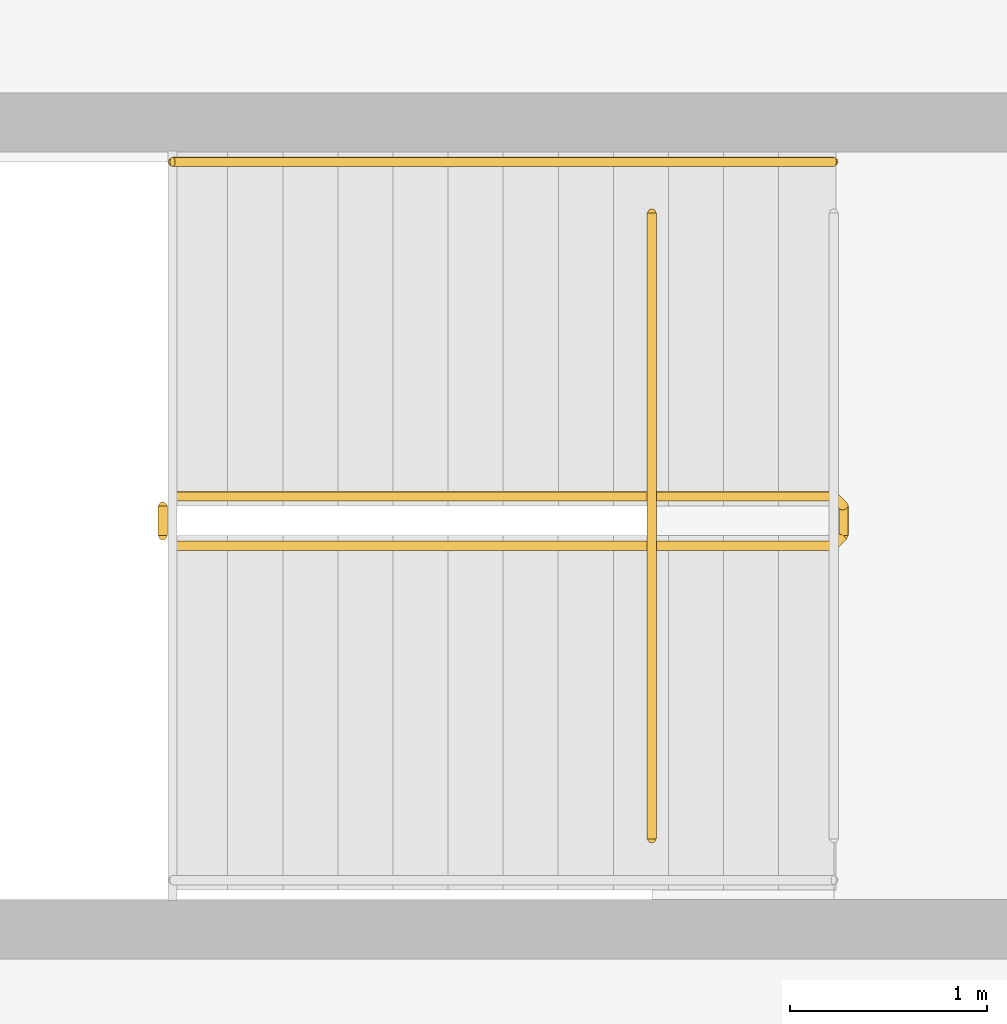
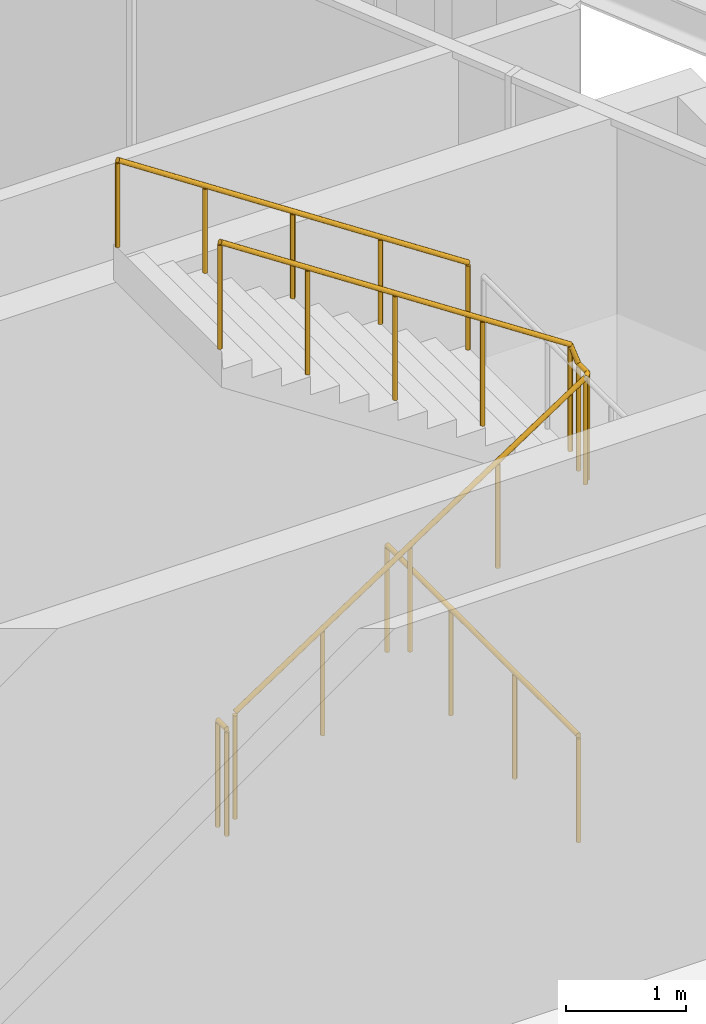
# One storey, part 33 of 35: 4 railings.
"""IFC4 building model written with IfcOpenShell, lengths in metres."""

from ifc_helpers import new_model, si_unit, direction, frame, origin, origin_2d, place, context, subcontext, project, spatial, circle, extrude, material, type_object, element, save


model = new_model("IFC4")

# Units and contexts
model_context = context("Model", 3, precision=1e-05, world=origin(), true_north=direction((0.0, 1.0)))
body_context = subcontext(model_context, "Body", "Model", "MODEL_VIEW")
ifc_project = project(units=[si_unit("LENGTHUNIT", "METRE"), si_unit("AREAUNIT", "SQUARE_METRE"), si_unit("VOLUMEUNIT", "CUBIC_METRE"), si_unit("PLANEANGLEUNIT", "RADIAN"), si_unit("MASSUNIT", "GRAM", prefix="KILO")], contexts=[model_context])

# Site, building, storey
site_placement = place(None, origin())
site = spatial("IfcSite", under=ifc_project, at=site_placement, CompositionType="ELEMENT")
building_placement = place(site_placement, origin())
building = spatial("IfcBuilding", under=site, at=building_placement, Name="Wharfspan Tower", CompositionType="ELEMENT")
storey_placement = place(building_placement, frame((0.0, 0.0, 202.300049)))
storey = spatial("IfcBuildingStorey", under=building, at=storey_placement, Name="L50", CompositionType="ELEMENT", Elevation=202.300049)

# Railings
ifc_material = material(Name="Steel S355J2", Category="steel")
railing_type_1 = type_object("IfcRailingType", Name="Stair guard 1100", PredefinedType="GUARDRAIL", material=ifc_material)
railing_1_placement = place(storey_placement, frame((71.404541, 22.334961, 0.0)))
element("IfcRailing", 1, at=railing_1_placement, inside=storey, type_object=railing_type_1, Name="L50 ST6 band guard 2", PredefinedType="GUARDRAIL", context=body_context, shape_type="SweptSolid", body=[
    extrude(circle(Radius=0.023926, at=origin_2d()), frame((0.0, 0.0, 1.076172), z_axis=(0.0, 1.0, 0.0), x_axis=(-1.0, 0.0, 0.0)), (0.0, 0.0, 1.0), 3.179932),
    extrude(circle(Radius=0.020996, at=origin_2d()), origin(), (0.0, 0.0, 1.0), 1.052002),
    extrude(circle(Radius=0.020996, at=origin_2d()), frame((0.0, 1.060059, 0.0)), (0.0, 0.0, 1.0), 1.052002),
    extrude(circle(Radius=0.020996, at=origin_2d()), frame((0.0, 2.119873, 0.0)), (0.0, 0.0, 1.0), 1.052002),
    extrude(circle(Radius=0.020996, at=origin_2d()), frame((0.0, 3.179932, 0.0)), (0.0, 0.0, 1.0), 1.052002),
])
railing_2_placement = place(storey_placement, frame((68.969482, 23.824951, 0.18457)))
element("IfcRailing", 2, at=railing_2_placement, inside=storey, type_object=railing_type_1, Name="L50 ST6 stair guard 1", PredefinedType="GUARDRAIL", context=body_context, shape_type="SweptSolid", body=[
    extrude(circle(Radius=0.023926, at=origin_2d()), frame((0.0, 0.0, 1.076172), z_axis=(0.834876, 0.0, 0.550437), x_axis=(0.0, 1.0, 0.0)), (0.0, 0.0, 1.0), 4.024658),
    extrude(circle(Radius=0.023926, at=origin_2d()), frame((3.360107, 0.0, 3.291504), z_axis=(0.707107, 0.707107, 0.0), x_axis=(-0.707107, 0.707107, 0.0)), (0.0, 0.0, 1.0), 0.070801),
    extrude(circle(Radius=0.023926, at=origin_2d()), frame((3.410156, 0.050049, 3.291504), z_axis=(0.0, 1.0, 0.0), x_axis=(-1.0, 0.0, 0.0)), (0.0, 0.0, 1.0), 0.149902),
    extrude(circle(Radius=0.023926, at=origin_2d()), frame((3.410156, 0.199951, 3.291504), z_axis=(-0.253186, 0.253186, 0.933699), x_axis=(-0.707107, -0.707107, 0.0)), (0.0, 0.0, 1.0), 0.197754),
    extrude(circle(Radius=0.023926, at=origin_2d()), frame((3.360107, 0.25, 3.476074), z_axis=(-0.834849, 0.0, 0.55048), x_axis=(0.0, -1.0, 0.0)), (0.0, 0.0, 1.0), 4.024902),
    extrude(circle(Radius=0.020996, at=origin_2d()), origin(), (0.0, 0.0, 1.0), 1.052002),
    extrude(circle(Radius=0.020996, at=origin_2d()), frame((0.840088, 0.0, 0.553711)), (0.0, 0.0, 1.0), 1.052002),
    extrude(circle(Radius=0.020996, at=origin_2d()), frame((1.680176, 0.0, 1.107666)), (0.0, 0.0, 1.0), 1.052002),
    extrude(circle(Radius=0.020996, at=origin_2d()), frame((2.52002, 0.0, 1.661621)), (0.0, 0.0, 1.0), 1.052002),
    extrude(circle(Radius=0.020996, at=origin_2d()), frame((3.360107, 0.0, 2.215332)), (0.0, 0.0, 1.0), 1.052002),
    extrude(circle(Radius=0.020996, at=origin_2d()), frame((3.410156, 0.050049, 2.215332)), (0.0, 0.0, 1.0), 1.052002),
    extrude(circle(Radius=0.020996, at=origin_2d()), frame((3.410156, 0.199951, 2.215332)), (0.0, 0.0, 1.0), 1.052002),
    extrude(circle(Radius=0.020996, at=origin_2d()), frame((3.360107, 0.25, 2.399902)), (0.0, 0.0, 1.0), 1.052002),
    extrude(circle(Radius=0.020996, at=origin_2d()), frame((2.52002, 0.25, 2.953857)), (0.0, 0.0, 1.0), 1.052002),
    extrude(circle(Radius=0.020996, at=origin_2d()), frame((1.680176, 0.25, 3.507812)), (0.0, 0.0, 1.0), 1.052002),
    extrude(circle(Radius=0.020996, at=origin_2d()), frame((0.840088, 0.25, 4.061523)), (0.0, 0.0, 1.0), 1.052002),
    extrude(circle(Radius=0.020996, at=origin_2d()), frame((0.0, 0.25, 4.615479)), (0.0, 0.0, 1.0), 1.052002),
])
railing_3_placement = place(storey_placement, frame((68.919678, 23.875, 0.0)))
element("IfcRailing", 3, at=railing_3_placement, inside=storey, type_object=railing_type_1, Name="L50 ST6 stair guard 2", PredefinedType="GUARDRAIL", context=body_context, shape_type="SweptSolid", body=[
    extrude(circle(Radius=0.023926, at=origin_2d()), frame((0.0, 0.0, 1.076172), z_axis=(0.0, 1.0, 0.0), x_axis=(-1.0, 0.0, 0.0)), (0.0, 0.0, 1.0), 0.149902),
    extrude(circle(Radius=0.020996, at=origin_2d()), origin(), (0.0, 0.0, 1.0), 1.052002),
    extrude(circle(Radius=0.020996, at=origin_2d()), frame((0.0, 0.149902, 0.0)), (0.0, 0.0, 1.0), 1.052002),
])
railing_type_2 = type_object("IfcRailingType", Name="Stair handrail 900", PredefinedType="HANDRAIL", material=ifc_material)
railing_4_placement = place(storey_placement, frame((72.32959, 25.774902, 2.584473)))
element("IfcRailing", 4, at=railing_4_placement, inside=storey, type_object=railing_type_2, Name="L50 ST6 stair handrail 2", PredefinedType="HANDRAIL", context=body_context, shape_type="SweptSolid", body=[
    extrude(circle(Radius=0.023926, at=origin_2d()), frame((0.0, 0.0, 0.875977), z_axis=(-0.834849, 0.0, 0.55048), x_axis=(0.0, -1.0, 0.0)), (0.0, 0.0, 1.0), 4.024902),
    extrude(circle(Radius=0.020996, at=origin_2d()), origin(), (0.0, 0.0, 1.0), 0.851807),
    extrude(circle(Radius=0.020996, at=origin_2d()), frame((-0.840088, 0.0, 0.553955)), (0.0, 0.0, 1.0), 0.851807),
    extrude(circle(Radius=0.020996, at=origin_2d()), frame((-1.680176, 0.0, 1.10791)), (0.0, 0.0, 1.0), 0.851807),
    extrude(circle(Radius=0.020996, at=origin_2d()), frame((-2.52002, 0.0, 1.661621)), (0.0, 0.0, 1.0), 0.851807),
    extrude(circle(Radius=0.020996, at=origin_2d()), frame((-3.360107, 0.0, 2.215576)), (0.0, 0.0, 1.0), 0.851807),
])

save(model, "model.ifc")
